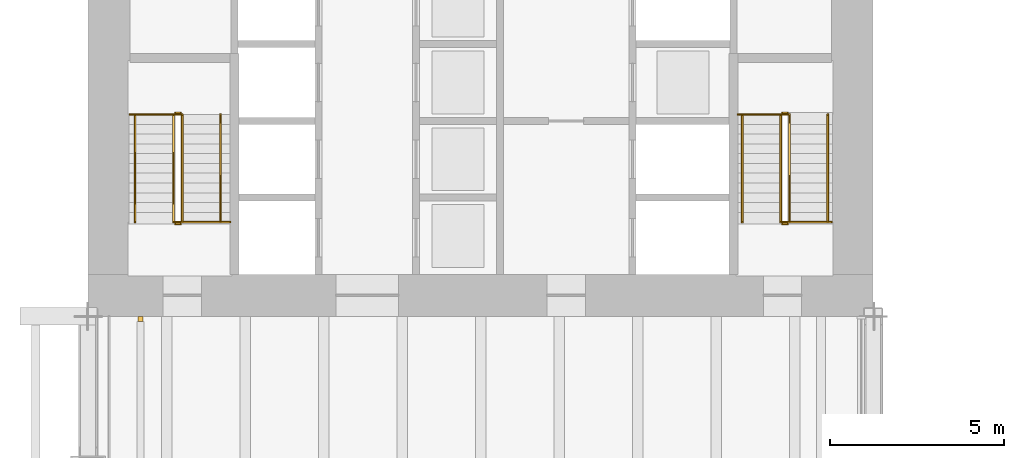
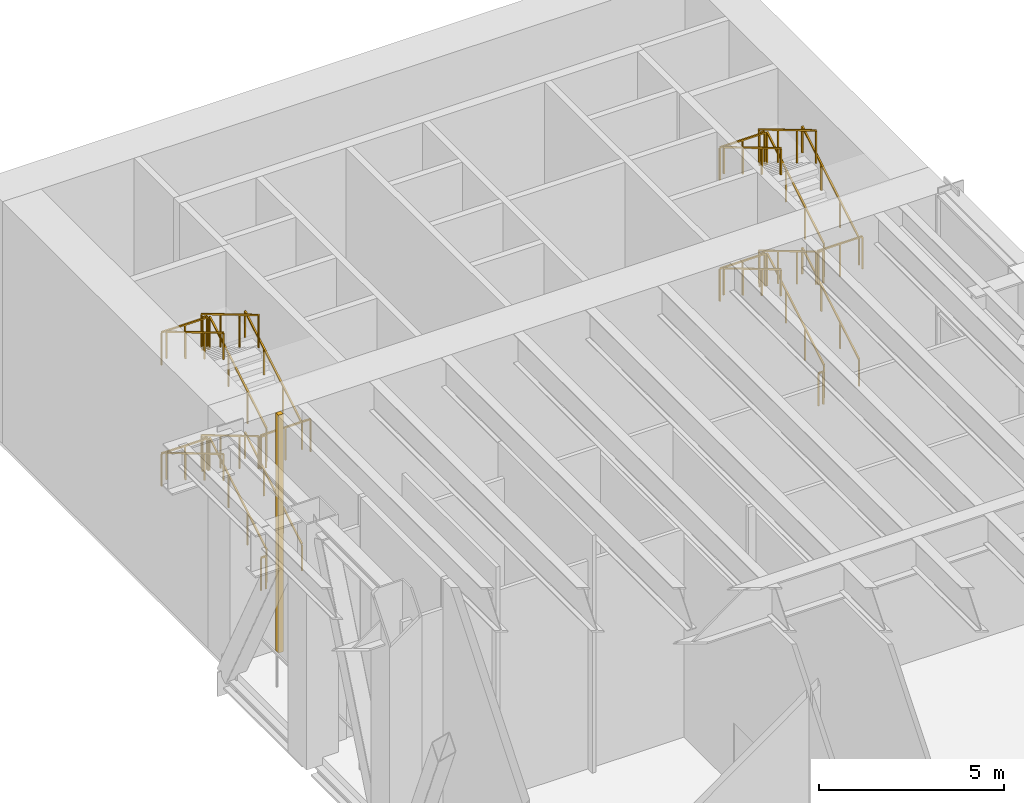
# One storey, part 20 of 21: 30 railings, 1 shading device.
"""IFC4 building model written with IfcOpenShell, lengths in metres."""

from ifc_helpers import new_model, si_unit, direction, frame, origin, origin_2d, place, context, subcontext, project, spatial, rectangle, extrude, material, type_object, element, save


model = new_model("IFC4")

# Units and contexts
model_context = context("Model", 3, precision=1e-05, world=origin(), true_north=direction((0.0, 1.0)))
body_context = subcontext(model_context, "Body", "Model", "MODEL_VIEW")
ifc_project = project(units=[si_unit("LENGTHUNIT", "METRE"), si_unit("AREAUNIT", "SQUARE_METRE"), si_unit("VOLUMEUNIT", "CUBIC_METRE"), si_unit("PLANEANGLEUNIT", "RADIAN"), si_unit("MASSUNIT", "GRAM", prefix="KILO")], contexts=[model_context])

# Site, building, storey
site_placement = place(None, origin())
site = spatial("IfcSite", under=ifc_project, at=site_placement, CompositionType="ELEMENT")
building_placement = place(site_placement, origin())
building = spatial("IfcBuilding", under=site, at=building_placement, Name="Sennacour Bend Tower", CompositionType="ELEMENT")
storey_placement = place(building_placement, frame((0.0, 0.0, 131.0)))
storey = spatial("IfcBuildingStorey", under=building, at=storey_placement, Name="L30", CompositionType="ELEMENT", Elevation=131.0)

# Shading device
ifc_material_1 = material(Name="Dark bronze anodised aluminium louvre", Category="aluminium")
shading_device_type = type_object("IfcShadingDeviceType", Name="LOUVRE WALL POST 150", PredefinedType="USERDEFINED", material=ifc_material_1)
shading_device_placement = place(storey_placement, frame((1.5, 35.924072265625, 0.0), z_axis=(0.0, 0.0, 1.0), x_axis=(1.0, 0.0, 0.0)))
element("IfcShadingDevice", 1, at=shading_device_placement, inside=storey, type_object=shading_device_type, Name="Louvre wall post L30", ObjectType="LOUVRE", PredefinedType="USERDEFINED", context=body_context, shape_type="SweptSolid", body=[
    extrude(rectangle(XDim=0.14990234375, YDim=0.14990234375, at=origin_2d()), origin(), (0.0, 0.0, 1.0), 7.85009765625),
])

# Railings
ifc_material_2 = material(Name="Stainless steel", Category="steel")
railing_type_1 = type_object("IfcRailingType", Name="RL-GUARD-1100", PredefinedType="GUARDRAIL", material=ifc_material_2)
railing_1_placement = place(storey_placement, frame((2.699951171875, 38.699951171875, 0.166748046875)))
element("IfcRailing", 2, at=railing_1_placement, inside=storey, type_object=railing_type_1, Name="L30 SB1 stair guard 1", PredefinedType="GUARDRAIL", context=body_context, shape_type="SweptSolid", body=[
    extrude(rectangle(XDim=0.048095703125, YDim=0.048095703125, at=origin_2d()), frame((0.0, 0.0, 1.076171875), z_axis=(0.0, 0.859308565015, 0.511457515432), x_axis=(-1.0, 0.0, 0.0)), (0.0, 0.0, 1.0), 3.58447265625),
    extrude(rectangle(XDim=0.0419921875, YDim=0.0419921875, at=origin_2d()), origin(), (0.0, 0.0, 1.0), 1.052001953125),
    extrude(rectangle(XDim=0.0419921875, YDim=0.0419921875, at=origin_2d()), frame((0.0, 1.026611328125, 0.611083984375)), (0.0, 0.0, 1.0), 1.052001953125),
    extrude(rectangle(XDim=0.0419921875, YDim=0.0419921875, at=origin_2d()), frame((0.0, 2.053466796875, 1.22216796875)), (0.0, 0.0, 1.0), 1.052001953125),
    extrude(rectangle(XDim=0.0419921875, YDim=0.0419921875, at=origin_2d()), frame((0.0, 3.080078125, 1.833251953125)), (0.0, 0.0, 1.0), 1.052001953125),
])
railing_2_placement = place(storey_placement, frame((2.64990234375, 41.830078125, 2.0)))
element("IfcRailing", 3, at=railing_2_placement, inside=storey, type_object=railing_type_1, Name="L30 SB1 stair guard 2", PredefinedType="GUARDRAIL", context=body_context, shape_type="SweptSolid", body=[
    extrude(rectangle(XDim=0.048095703125, YDim=0.048095703125, at=origin_2d()), frame((0.0, 0.0, 1.076171875), z_axis=(-1.0, 0.0, 0.0), x_axis=(0.0, -1.0, 0.0)), (0.0, 0.0, 1.0), 0.14990234375),
    extrude(rectangle(XDim=0.0419921875, YDim=0.0419921875, at=origin_2d()), origin(), (0.0, 0.0, 1.0), 1.052001953125),
    extrude(rectangle(XDim=0.0419921875, YDim=0.0419921875, at=origin_2d()), frame((-0.14990234375, 0.0, 0.0)), (0.0, 0.0, 1.0), 1.052001953125),
])
railing_3_placement = place(storey_placement, frame((2.449951171875, 41.780029296875, 2.166748046875)))
element("IfcRailing", 4, at=railing_3_placement, inside=storey, type_object=railing_type_1, Name="L30 SB1 stair guard 4", PredefinedType="GUARDRAIL", context=body_context, shape_type="SweptSolid", body=[
    extrude(rectangle(XDim=0.048095703125, YDim=0.048095703125, at=origin_2d()), frame((0.0, 0.0, 1.076171875), z_axis=(0.0, -0.859308565015, 0.511457515432), x_axis=(1.0, 0.0, 0.0)), (0.0, 0.0, 1.0), 3.58447265625),
    extrude(rectangle(XDim=0.0419921875, YDim=0.0419921875, at=origin_2d()), origin(), (0.0, 0.0, 1.0), 1.052001953125),
    extrude(rectangle(XDim=0.0419921875, YDim=0.0419921875, at=origin_2d()), frame((0.0, -1.026611328125, 0.611083984375)), (0.0, 0.0, 1.0), 1.052001953125),
    extrude(rectangle(XDim=0.0419921875, YDim=0.0419921875, at=origin_2d()), frame((0.0, -2.053466796875, 1.22216796875)), (0.0, 0.0, 1.0), 1.052001953125),
    extrude(rectangle(XDim=0.0419921875, YDim=0.0419921875, at=origin_2d()), frame((0.0, -3.080078125, 1.833251953125)), (0.0, 0.0, 1.0), 1.052001953125),
])
railing_4_placement = place(storey_placement, frame((2.64990234375, 38.64990234375, 4.0)))
element("IfcRailing", 5, at=railing_4_placement, inside=storey, type_object=railing_type_1, Name="L30 SB1 stair guard 5", PredefinedType="GUARDRAIL", context=body_context, shape_type="SweptSolid", body=[
    extrude(rectangle(XDim=0.048095703125, YDim=0.048095703125, at=origin_2d()), frame((0.0, 0.0, 1.076171875), z_axis=(-1.0, 0.0, 0.0), x_axis=(0.0, -1.0, 0.0)), (0.0, 0.0, 1.0), 0.14990234375),
    extrude(rectangle(XDim=0.0419921875, YDim=0.0419921875, at=origin_2d()), origin(), (0.0, 0.0, 1.0), 1.052001953125),
    extrude(rectangle(XDim=0.0419921875, YDim=0.0419921875, at=origin_2d()), frame((-0.14990234375, 0.0, 0.0)), (0.0, 0.0, 1.0), 1.052001953125),
])
railing_5_placement = place(storey_placement, frame((2.699951171875, 38.699951171875, 4.166748046875)))
element("IfcRailing", 6, at=railing_5_placement, inside=storey, type_object=railing_type_1, Name="L30 SB1 stair guard 8", PredefinedType="GUARDRAIL", context=body_context, shape_type="SweptSolid", body=[
    extrude(rectangle(XDim=0.048095703125, YDim=0.048095703125, at=origin_2d()), frame((0.0, 0.0, 1.076171875), z_axis=(0.0, 0.859308565015, 0.511457515432), x_axis=(-1.0, 0.0, 0.0)), (0.0, 0.0, 1.0), 3.58447265625),
    extrude(rectangle(XDim=0.0419921875, YDim=0.0419921875, at=origin_2d()), origin(), (0.0, 0.0, 1.0), 1.052001953125),
    extrude(rectangle(XDim=0.0419921875, YDim=0.0419921875, at=origin_2d()), frame((0.0, 1.026611328125, 0.611083984375)), (0.0, 0.0, 1.0), 1.052001953125),
    extrude(rectangle(XDim=0.0419921875, YDim=0.0419921875, at=origin_2d()), frame((0.0, 2.053466796875, 1.22216796875)), (0.0, 0.0, 1.0), 1.052001953125),
    extrude(rectangle(XDim=0.0419921875, YDim=0.0419921875, at=origin_2d()), frame((0.0, 3.080078125, 1.833251953125)), (0.0, 0.0, 1.0), 1.052001953125),
])
railing_6_placement = place(storey_placement, frame((2.64990234375, 41.830078125, 6.0)))
element("IfcRailing", 7, at=railing_6_placement, inside=storey, type_object=railing_type_1, Name="L30 SB1 stair guard 9", PredefinedType="GUARDRAIL", context=body_context, shape_type="SweptSolid", body=[
    extrude(rectangle(XDim=0.048095703125, YDim=0.048095703125, at=origin_2d()), frame((0.0, 0.0, 1.076171875), z_axis=(-1.0, 0.0, 0.0), x_axis=(0.0, -1.0, 0.0)), (0.0, 0.0, 1.0), 0.14990234375),
    extrude(rectangle(XDim=0.0419921875, YDim=0.0419921875, at=origin_2d()), origin(), (0.0, 0.0, 1.0), 1.052001953125),
    extrude(rectangle(XDim=0.0419921875, YDim=0.0419921875, at=origin_2d()), frame((-0.14990234375, 0.0, 0.0)), (0.0, 0.0, 1.0), 1.052001953125),
])
railing_7_placement = place(storey_placement, frame((2.449951171875, 41.780029296875, 6.166748046875)))
element("IfcRailing", 8, at=railing_7_placement, inside=storey, type_object=railing_type_1, Name="L30 SB1 stair guard 11", PredefinedType="GUARDRAIL", context=body_context, shape_type="SweptSolid", body=[
    extrude(rectangle(XDim=0.048095703125, YDim=0.048095703125, at=origin_2d()), frame((0.0, 0.0, 1.076171875), z_axis=(0.0, -0.859308565015, 0.511457515432), x_axis=(1.0, 0.0, 0.0)), (0.0, 0.0, 1.0), 3.58447265625),
    extrude(rectangle(XDim=0.0419921875, YDim=0.0419921875, at=origin_2d()), origin(), (0.0, 0.0, 1.0), 1.052001953125),
    extrude(rectangle(XDim=0.0419921875, YDim=0.0419921875, at=origin_2d()), frame((0.0, -1.026611328125, 0.611083984375)), (0.0, 0.0, 1.0), 1.052001953125),
    extrude(rectangle(XDim=0.0419921875, YDim=0.0419921875, at=origin_2d()), frame((0.0, -2.053466796875, 1.22216796875)), (0.0, 0.0, 1.0), 1.052001953125),
    extrude(rectangle(XDim=0.0419921875, YDim=0.0419921875, at=origin_2d()), frame((0.0, -3.080078125, 1.833251953125)), (0.0, 0.0, 1.0), 1.052001953125),
])
railing_8_placement = place(storey_placement, frame((2.64990234375, 38.64990234375, 0.0)))
element("IfcRailing", 9, at=railing_8_placement, inside=storey, type_object=railing_type_1, Name="L30 SB1 stair guard 12", PredefinedType="GUARDRAIL", context=body_context, shape_type="SweptSolid", body=[
    extrude(rectangle(XDim=0.048095703125, YDim=0.048095703125, at=origin_2d()), frame((0.0, 0.0, 1.076171875), z_axis=(-1.0, 0.0, 0.0), x_axis=(0.0, -1.0, 0.0)), (0.0, 0.0, 1.0), 0.14990234375),
    extrude(rectangle(XDim=0.0419921875, YDim=0.0419921875, at=origin_2d()), origin(), (0.0, 0.0, 1.0), 1.052001953125),
    extrude(rectangle(XDim=0.0419921875, YDim=0.0419921875, at=origin_2d()), frame((-0.14990234375, 0.0, 0.0)), (0.0, 0.0, 1.0), 1.052001953125),
])
railing_9_placement = place(storey_placement, frame((2.64990234375, 41.780029296875, 2.0)))
element("IfcRailing", 10, at=railing_9_placement, inside=storey, type_object=railing_type_1, Name="L30 SB1 landing edge guard 53", PredefinedType="GUARDRAIL", context=body_context, shape_type="SweptSolid", body=[
    extrude(rectangle(XDim=0.048095703125, YDim=0.048095703125, at=origin_2d()), frame((0.0, 0.0, 1.076171875), z_axis=(-1.0, 0.0, 0.0), x_axis=(0.0, -1.0, 0.0)), (0.0, 0.0, 1.0), 1.449951171875),
    extrude(rectangle(XDim=0.0419921875, YDim=0.0419921875, at=origin_2d()), origin(), (0.0, 0.0, 1.0), 1.052001953125),
    extrude(rectangle(XDim=0.0419921875, YDim=0.0419921875, at=origin_2d()), frame((-0.72509765625, 0.0, 0.0)), (0.0, 0.0, 1.0), 1.052001953125),
    extrude(rectangle(XDim=0.0419921875, YDim=0.0419921875, at=origin_2d()), frame((-1.449951171875, 0.0, 0.0)), (0.0, 0.0, 1.0), 1.052001953125),
])
railing_10_placement = place(storey_placement, frame((2.5, 38.699951171875, 4.0)))
element("IfcRailing", 11, at=railing_10_placement, inside=storey, type_object=railing_type_1, Name="L30 SB1 landing edge guard 54", PredefinedType="GUARDRAIL", context=body_context, shape_type="SweptSolid", body=[
    extrude(rectangle(XDim=0.048095703125, YDim=0.048095703125, at=origin_2d()), frame((0.0, 0.0, 1.076171875), z_axis=(1.0, 0.0, 0.0), x_axis=(0.0, 1.0, 0.0)), (0.0, 0.0, 1.0), 1.574951171875),
    extrude(rectangle(XDim=0.0419921875, YDim=0.0419921875, at=origin_2d()), origin(), (0.0, 0.0, 1.0), 1.052001953125),
    extrude(rectangle(XDim=0.0419921875, YDim=0.0419921875, at=origin_2d()), frame((0.78759765625, 0.0, 0.0)), (0.0, 0.0, 1.0), 1.052001953125),
    extrude(rectangle(XDim=0.0419921875, YDim=0.0419921875, at=origin_2d()), frame((1.574951171875, 0.0, 0.0)), (0.0, 0.0, 1.0), 1.052001953125),
])
railing_11_placement = place(storey_placement, frame((2.64990234375, 41.780029296875, 6.0)))
element("IfcRailing", 12, at=railing_11_placement, inside=storey, type_object=railing_type_1, Name="L30 SB1 landing edge guard 55", PredefinedType="GUARDRAIL", context=body_context, shape_type="SweptSolid", body=[
    extrude(rectangle(XDim=0.048095703125, YDim=0.048095703125, at=origin_2d()), frame((0.0, 0.0, 1.076171875), z_axis=(-1.0, 0.0, 0.0), x_axis=(0.0, -1.0, 0.0)), (0.0, 0.0, 1.0), 1.449951171875),
    extrude(rectangle(XDim=0.0419921875, YDim=0.0419921875, at=origin_2d()), origin(), (0.0, 0.0, 1.0), 1.052001953125),
    extrude(rectangle(XDim=0.0419921875, YDim=0.0419921875, at=origin_2d()), frame((-0.72509765625, 0.0, 0.0)), (0.0, 0.0, 1.0), 1.052001953125),
    extrude(rectangle(XDim=0.0419921875, YDim=0.0419921875, at=origin_2d()), frame((-1.449951171875, 0.0, 0.0)), (0.0, 0.0, 1.0), 1.052001953125),
])
railing_12_placement = place(storey_placement, frame((20.10009765625, 38.699951171875, 0.166748046875)))
element("IfcRailing", 13, at=railing_12_placement, inside=storey, type_object=railing_type_1, Name="L30 SB2 stair guard 1", PredefinedType="GUARDRAIL", context=body_context, shape_type="SweptSolid", body=[
    extrude(rectangle(XDim=0.048095703125, YDim=0.048095703125, at=origin_2d()), frame((0.0, 0.0, 1.076171875), z_axis=(0.0, 0.859308565015, 0.511457515432), x_axis=(-1.0, 0.0, 0.0)), (0.0, 0.0, 1.0), 3.58447265625),
    extrude(rectangle(XDim=0.0419921875, YDim=0.0419921875, at=origin_2d()), origin(), (0.0, 0.0, 1.0), 1.052001953125),
    extrude(rectangle(XDim=0.0419921875, YDim=0.0419921875, at=origin_2d()), frame((0.0, 1.026611328125, 0.611083984375)), (0.0, 0.0, 1.0), 1.052001953125),
    extrude(rectangle(XDim=0.0419921875, YDim=0.0419921875, at=origin_2d()), frame((0.0, 2.053466796875, 1.22216796875)), (0.0, 0.0, 1.0), 1.052001953125),
    extrude(rectangle(XDim=0.0419921875, YDim=0.0419921875, at=origin_2d()), frame((0.0, 3.080078125, 1.833251953125)), (0.0, 0.0, 1.0), 1.052001953125),
])
railing_13_placement = place(storey_placement, frame((20.050048828125, 41.830078125, 2.0)))
element("IfcRailing", 14, at=railing_13_placement, inside=storey, type_object=railing_type_1, Name="L30 SB2 stair guard 2", PredefinedType="GUARDRAIL", context=body_context, shape_type="SweptSolid", body=[
    extrude(rectangle(XDim=0.048095703125, YDim=0.048095703125, at=origin_2d()), frame((0.0, 0.0, 1.076171875), z_axis=(-1.0, 0.0, 0.0), x_axis=(0.0, -1.0, 0.0)), (0.0, 0.0, 1.0), 0.150146484375),
    extrude(rectangle(XDim=0.0419921875, YDim=0.0419921875, at=origin_2d()), origin(), (0.0, 0.0, 1.0), 1.052001953125),
    extrude(rectangle(XDim=0.0419921875, YDim=0.0419921875, at=origin_2d()), frame((-0.150146484375, 0.0, 0.0)), (0.0, 0.0, 1.0), 1.052001953125),
])
railing_14_placement = place(storey_placement, frame((19.85009765625, 41.780029296875, 2.166748046875)))
element("IfcRailing", 15, at=railing_14_placement, inside=storey, type_object=railing_type_1, Name="L30 SB2 stair guard 4", PredefinedType="GUARDRAIL", context=body_context, shape_type="SweptSolid", body=[
    extrude(rectangle(XDim=0.048095703125, YDim=0.048095703125, at=origin_2d()), frame((0.0, 0.0, 1.076171875), z_axis=(0.0, -0.859308565015, 0.511457515432), x_axis=(1.0, 0.0, 0.0)), (0.0, 0.0, 1.0), 3.58447265625),
    extrude(rectangle(XDim=0.0419921875, YDim=0.0419921875, at=origin_2d()), origin(), (0.0, 0.0, 1.0), 1.052001953125),
    extrude(rectangle(XDim=0.0419921875, YDim=0.0419921875, at=origin_2d()), frame((0.0, -1.026611328125, 0.611083984375)), (0.0, 0.0, 1.0), 1.052001953125),
    extrude(rectangle(XDim=0.0419921875, YDim=0.0419921875, at=origin_2d()), frame((0.0, -2.053466796875, 1.22216796875)), (0.0, 0.0, 1.0), 1.052001953125),
    extrude(rectangle(XDim=0.0419921875, YDim=0.0419921875, at=origin_2d()), frame((0.0, -3.080078125, 1.833251953125)), (0.0, 0.0, 1.0), 1.052001953125),
])
railing_15_placement = place(storey_placement, frame((20.050048828125, 38.64990234375, 4.0)))
element("IfcRailing", 16, at=railing_15_placement, inside=storey, type_object=railing_type_1, Name="L30 SB2 stair guard 5", PredefinedType="GUARDRAIL", context=body_context, shape_type="SweptSolid", body=[
    extrude(rectangle(XDim=0.048095703125, YDim=0.048095703125, at=origin_2d()), frame((0.0, 0.0, 1.076171875), z_axis=(-1.0, 0.0, 0.0), x_axis=(0.0, -1.0, 0.0)), (0.0, 0.0, 1.0), 0.150146484375),
    extrude(rectangle(XDim=0.0419921875, YDim=0.0419921875, at=origin_2d()), origin(), (0.0, 0.0, 1.0), 1.052001953125),
    extrude(rectangle(XDim=0.0419921875, YDim=0.0419921875, at=origin_2d()), frame((-0.150146484375, 0.0, 0.0)), (0.0, 0.0, 1.0), 1.052001953125),
])
railing_16_placement = place(storey_placement, frame((20.10009765625, 38.699951171875, 4.166748046875)))
element("IfcRailing", 17, at=railing_16_placement, inside=storey, type_object=railing_type_1, Name="L30 SB2 stair guard 8", PredefinedType="GUARDRAIL", context=body_context, shape_type="SweptSolid", body=[
    extrude(rectangle(XDim=0.048095703125, YDim=0.048095703125, at=origin_2d()), frame((0.0, 0.0, 1.076171875), z_axis=(0.0, 0.859308565015, 0.511457515432), x_axis=(-1.0, 0.0, 0.0)), (0.0, 0.0, 1.0), 3.58447265625),
    extrude(rectangle(XDim=0.0419921875, YDim=0.0419921875, at=origin_2d()), origin(), (0.0, 0.0, 1.0), 1.052001953125),
    extrude(rectangle(XDim=0.0419921875, YDim=0.0419921875, at=origin_2d()), frame((0.0, 1.026611328125, 0.611083984375)), (0.0, 0.0, 1.0), 1.052001953125),
    extrude(rectangle(XDim=0.0419921875, YDim=0.0419921875, at=origin_2d()), frame((0.0, 2.053466796875, 1.22216796875)), (0.0, 0.0, 1.0), 1.052001953125),
    extrude(rectangle(XDim=0.0419921875, YDim=0.0419921875, at=origin_2d()), frame((0.0, 3.080078125, 1.833251953125)), (0.0, 0.0, 1.0), 1.052001953125),
])
railing_17_placement = place(storey_placement, frame((20.050048828125, 41.830078125, 6.0)))
element("IfcRailing", 18, at=railing_17_placement, inside=storey, type_object=railing_type_1, Name="L30 SB2 stair guard 9", PredefinedType="GUARDRAIL", context=body_context, shape_type="SweptSolid", body=[
    extrude(rectangle(XDim=0.048095703125, YDim=0.048095703125, at=origin_2d()), frame((0.0, 0.0, 1.076171875), z_axis=(-1.0, 0.0, 0.0), x_axis=(0.0, -1.0, 0.0)), (0.0, 0.0, 1.0), 0.150146484375),
    extrude(rectangle(XDim=0.0419921875, YDim=0.0419921875, at=origin_2d()), origin(), (0.0, 0.0, 1.0), 1.052001953125),
    extrude(rectangle(XDim=0.0419921875, YDim=0.0419921875, at=origin_2d()), frame((-0.150146484375, 0.0, 0.0)), (0.0, 0.0, 1.0), 1.052001953125),
])
railing_18_placement = place(storey_placement, frame((19.85009765625, 41.780029296875, 6.166748046875)))
element("IfcRailing", 19, at=railing_18_placement, inside=storey, type_object=railing_type_1, Name="L30 SB2 stair guard 11", PredefinedType="GUARDRAIL", context=body_context, shape_type="SweptSolid", body=[
    extrude(rectangle(XDim=0.048095703125, YDim=0.048095703125, at=origin_2d()), frame((0.0, 0.0, 1.076171875), z_axis=(0.0, -0.859308565015, 0.511457515432), x_axis=(1.0, 0.0, 0.0)), (0.0, 0.0, 1.0), 3.58447265625),
    extrude(rectangle(XDim=0.0419921875, YDim=0.0419921875, at=origin_2d()), origin(), (0.0, 0.0, 1.0), 1.052001953125),
    extrude(rectangle(XDim=0.0419921875, YDim=0.0419921875, at=origin_2d()), frame((0.0, -1.026611328125, 0.611083984375)), (0.0, 0.0, 1.0), 1.052001953125),
    extrude(rectangle(XDim=0.0419921875, YDim=0.0419921875, at=origin_2d()), frame((0.0, -2.053466796875, 1.22216796875)), (0.0, 0.0, 1.0), 1.052001953125),
    extrude(rectangle(XDim=0.0419921875, YDim=0.0419921875, at=origin_2d()), frame((0.0, -3.080078125, 1.833251953125)), (0.0, 0.0, 1.0), 1.052001953125),
])
railing_19_placement = place(storey_placement, frame((20.050048828125, 38.64990234375, 0.0)))
element("IfcRailing", 20, at=railing_19_placement, inside=storey, type_object=railing_type_1, Name="L30 SB2 stair guard 12", PredefinedType="GUARDRAIL", context=body_context, shape_type="SweptSolid", body=[
    extrude(rectangle(XDim=0.048095703125, YDim=0.048095703125, at=origin_2d()), frame((0.0, 0.0, 1.076171875), z_axis=(-1.0, 0.0, 0.0), x_axis=(0.0, -1.0, 0.0)), (0.0, 0.0, 1.0), 0.150146484375),
    extrude(rectangle(XDim=0.0419921875, YDim=0.0419921875, at=origin_2d()), origin(), (0.0, 0.0, 1.0), 1.052001953125),
    extrude(rectangle(XDim=0.0419921875, YDim=0.0419921875, at=origin_2d()), frame((-0.150146484375, 0.0, 0.0)), (0.0, 0.0, 1.0), 1.052001953125),
])
railing_20_placement = place(storey_placement, frame((20.050048828125, 41.780029296875, 2.0)))
element("IfcRailing", 21, at=railing_20_placement, inside=storey, type_object=railing_type_1, Name="L30 SB2 landing edge guard 43", PredefinedType="GUARDRAIL", context=body_context, shape_type="SweptSolid", body=[
    extrude(rectangle(XDim=0.048095703125, YDim=0.048095703125, at=origin_2d()), frame((0.0, 0.0, 1.076171875), z_axis=(-1.0, 0.0, 0.0), x_axis=(0.0, -1.0, 0.0)), (0.0, 0.0, 1.0), 1.425048828125),
    extrude(rectangle(XDim=0.0419921875, YDim=0.0419921875, at=origin_2d()), origin(), (0.0, 0.0, 1.0), 1.052001953125),
    extrude(rectangle(XDim=0.0419921875, YDim=0.0419921875, at=origin_2d()), frame((-0.71240234375, 0.0, 0.0)), (0.0, 0.0, 1.0), 1.052001953125),
    extrude(rectangle(XDim=0.0419921875, YDim=0.0419921875, at=origin_2d()), frame((-1.425048828125, 0.0, 0.0)), (0.0, 0.0, 1.0), 1.052001953125),
])
railing_21_placement = place(storey_placement, frame((19.89990234375, 38.699951171875, 4.0)))
element("IfcRailing", 22, at=railing_21_placement, inside=storey, type_object=railing_type_1, Name="L30 SB2 landing edge guard 44", PredefinedType="GUARDRAIL", context=body_context, shape_type="SweptSolid", body=[
    extrude(rectangle(XDim=0.048095703125, YDim=0.048095703125, at=origin_2d()), frame((0.0, 0.0, 1.076171875), z_axis=(1.0, 0.0, 0.0), x_axis=(0.0, 1.0, 0.0)), (0.0, 0.0, 1.0), 1.400146484375),
    extrude(rectangle(XDim=0.0419921875, YDim=0.0419921875, at=origin_2d()), origin(), (0.0, 0.0, 1.0), 1.052001953125),
    extrude(rectangle(XDim=0.0419921875, YDim=0.0419921875, at=origin_2d()), frame((0.7001953125, 0.0, 0.0)), (0.0, 0.0, 1.0), 1.052001953125),
    extrude(rectangle(XDim=0.0419921875, YDim=0.0419921875, at=origin_2d()), frame((1.400146484375, 0.0, 0.0)), (0.0, 0.0, 1.0), 1.052001953125),
])
railing_22_placement = place(storey_placement, frame((20.050048828125, 41.780029296875, 6.0)))
element("IfcRailing", 23, at=railing_22_placement, inside=storey, type_object=railing_type_1, Name="L30 SB2 landing edge guard 45", PredefinedType="GUARDRAIL", context=body_context, shape_type="SweptSolid", body=[
    extrude(rectangle(XDim=0.048095703125, YDim=0.048095703125, at=origin_2d()), frame((0.0, 0.0, 1.076171875), z_axis=(-1.0, 0.0, 0.0), x_axis=(0.0, -1.0, 0.0)), (0.0, 0.0, 1.0), 1.425048828125),
    extrude(rectangle(XDim=0.0419921875, YDim=0.0419921875, at=origin_2d()), origin(), (0.0, 0.0, 1.0), 1.052001953125),
    extrude(rectangle(XDim=0.0419921875, YDim=0.0419921875, at=origin_2d()), frame((-0.71240234375, 0.0, 0.0)), (0.0, 0.0, 1.0), 1.052001953125),
    extrude(rectangle(XDim=0.0419921875, YDim=0.0419921875, at=origin_2d()), frame((-1.425048828125, 0.0, 0.0)), (0.0, 0.0, 1.0), 1.052001953125),
])
railing_type_2 = type_object("IfcRailingType", Name="RL-HANDRAIL-900", PredefinedType="HANDRAIL", material=ifc_material_2)
railing_23_placement = place(storey_placement, frame((3.800048828125, 38.699951171875, 0.166748046875)))
element("IfcRailing", 24, at=railing_23_placement, inside=storey, type_object=railing_type_2, Name="L30 SB1 stair handrail 1", PredefinedType="HANDRAIL", context=body_context, shape_type="SweptSolid", body=[
    extrude(rectangle(XDim=0.048095703125, YDim=0.048095703125, at=origin_2d()), frame((0.0, 0.0, 0.8759765625), z_axis=(0.0, 0.859308565015, 0.511457515432), x_axis=(-1.0, 0.0, 0.0)), (0.0, 0.0, 1.0), 3.58447265625),
    extrude(rectangle(XDim=0.0419921875, YDim=0.0419921875, at=origin_2d()), origin(), (0.0, 0.0, 1.0), 0.851806640625),
    extrude(rectangle(XDim=0.0419921875, YDim=0.0419921875, at=origin_2d()), frame((0.0, 1.026611328125, 0.611083984375)), (0.0, 0.0, 1.0), 0.851806640625),
    extrude(rectangle(XDim=0.0419921875, YDim=0.0419921875, at=origin_2d()), frame((0.0, 2.053466796875, 1.22216796875)), (0.0, 0.0, 1.0), 0.851806640625),
    extrude(rectangle(XDim=0.0419921875, YDim=0.0419921875, at=origin_2d()), frame((0.0, 3.080078125, 1.833251953125)), (0.0, 0.0, 1.0), 0.851806640625),
])
railing_24_placement = place(storey_placement, frame((1.35009765625, 41.780029296875, 2.166748046875)))
element("IfcRailing", 25, at=railing_24_placement, inside=storey, type_object=railing_type_2, Name="L30 SB1 stair handrail 2", PredefinedType="HANDRAIL", context=body_context, shape_type="SweptSolid", body=[
    extrude(rectangle(XDim=0.048095703125, YDim=0.048095703125, at=origin_2d()), frame((0.0, 0.0, 0.8759765625), z_axis=(0.0, -0.859308565015, 0.511457515432), x_axis=(1.0, 0.0, 0.0)), (0.0, 0.0, 1.0), 3.58447265625),
    extrude(rectangle(XDim=0.0419921875, YDim=0.0419921875, at=origin_2d()), origin(), (0.0, 0.0, 1.0), 0.851806640625),
    extrude(rectangle(XDim=0.0419921875, YDim=0.0419921875, at=origin_2d()), frame((0.0, -1.026611328125, 0.611083984375)), (0.0, 0.0, 1.0), 0.851806640625),
    extrude(rectangle(XDim=0.0419921875, YDim=0.0419921875, at=origin_2d()), frame((0.0, -2.053466796875, 1.22216796875)), (0.0, 0.0, 1.0), 0.851806640625),
    extrude(rectangle(XDim=0.0419921875, YDim=0.0419921875, at=origin_2d()), frame((0.0, -3.080078125, 1.833251953125)), (0.0, 0.0, 1.0), 0.851806640625),
])
railing_25_placement = place(storey_placement, frame((3.800048828125, 38.699951171875, 4.166748046875)))
element("IfcRailing", 26, at=railing_25_placement, inside=storey, type_object=railing_type_2, Name="L30 SB1 stair handrail 3", PredefinedType="HANDRAIL", context=body_context, shape_type="SweptSolid", body=[
    extrude(rectangle(XDim=0.048095703125, YDim=0.048095703125, at=origin_2d()), frame((0.0, 0.0, 0.8759765625), z_axis=(0.0, 0.859308565015, 0.511457515432), x_axis=(-1.0, 0.0, 0.0)), (0.0, 0.0, 1.0), 3.58447265625),
    extrude(rectangle(XDim=0.0419921875, YDim=0.0419921875, at=origin_2d()), origin(), (0.0, 0.0, 1.0), 0.851806640625),
    extrude(rectangle(XDim=0.0419921875, YDim=0.0419921875, at=origin_2d()), frame((0.0, 1.026611328125, 0.611083984375)), (0.0, 0.0, 1.0), 0.851806640625),
    extrude(rectangle(XDim=0.0419921875, YDim=0.0419921875, at=origin_2d()), frame((0.0, 2.053466796875, 1.22216796875)), (0.0, 0.0, 1.0), 0.851806640625),
    extrude(rectangle(XDim=0.0419921875, YDim=0.0419921875, at=origin_2d()), frame((0.0, 3.080078125, 1.833251953125)), (0.0, 0.0, 1.0), 0.851806640625),
])
railing_26_placement = place(storey_placement, frame((1.35009765625, 41.780029296875, 6.166748046875)))
element("IfcRailing", 27, at=railing_26_placement, inside=storey, type_object=railing_type_2, Name="L30 SB1 stair handrail 4", PredefinedType="HANDRAIL", context=body_context, shape_type="SweptSolid", body=[
    extrude(rectangle(XDim=0.048095703125, YDim=0.048095703125, at=origin_2d()), frame((0.0, 0.0, 0.8759765625), z_axis=(0.0, -0.859308565015, 0.511457515432), x_axis=(1.0, 0.0, 0.0)), (0.0, 0.0, 1.0), 3.58447265625),
    extrude(rectangle(XDim=0.0419921875, YDim=0.0419921875, at=origin_2d()), origin(), (0.0, 0.0, 1.0), 0.851806640625),
    extrude(rectangle(XDim=0.0419921875, YDim=0.0419921875, at=origin_2d()), frame((0.0, -1.026611328125, 0.611083984375)), (0.0, 0.0, 1.0), 0.851806640625),
    extrude(rectangle(XDim=0.0419921875, YDim=0.0419921875, at=origin_2d()), frame((0.0, -2.053466796875, 1.22216796875)), (0.0, 0.0, 1.0), 0.851806640625),
    extrude(rectangle(XDim=0.0419921875, YDim=0.0419921875, at=origin_2d()), frame((0.0, -3.080078125, 1.833251953125)), (0.0, 0.0, 1.0), 0.851806640625),
])
railing_27_placement = place(storey_placement, frame((21.199951171875, 38.699951171875, 0.166748046875)))
element("IfcRailing", 28, at=railing_27_placement, inside=storey, type_object=railing_type_2, Name="L30 SB2 stair handrail 1", PredefinedType="HANDRAIL", context=body_context, shape_type="SweptSolid", body=[
    extrude(rectangle(XDim=0.048095703125, YDim=0.048095703125, at=origin_2d()), frame((0.0, 0.0, 0.8759765625), z_axis=(0.0, 0.859308565015, 0.511457515432), x_axis=(-1.0, 0.0, 0.0)), (0.0, 0.0, 1.0), 3.58447265625),
    extrude(rectangle(XDim=0.0419921875, YDim=0.0419921875, at=origin_2d()), origin(), (0.0, 0.0, 1.0), 0.851806640625),
    extrude(rectangle(XDim=0.0419921875, YDim=0.0419921875, at=origin_2d()), frame((0.0, 1.026611328125, 0.611083984375)), (0.0, 0.0, 1.0), 0.851806640625),
    extrude(rectangle(XDim=0.0419921875, YDim=0.0419921875, at=origin_2d()), frame((0.0, 2.053466796875, 1.22216796875)), (0.0, 0.0, 1.0), 0.851806640625),
    extrude(rectangle(XDim=0.0419921875, YDim=0.0419921875, at=origin_2d()), frame((0.0, 3.080078125, 1.833251953125)), (0.0, 0.0, 1.0), 0.851806640625),
])
railing_28_placement = place(storey_placement, frame((18.75, 41.780029296875, 2.166748046875)))
element("IfcRailing", 29, at=railing_28_placement, inside=storey, type_object=railing_type_2, Name="L30 SB2 stair handrail 2", PredefinedType="HANDRAIL", context=body_context, shape_type="SweptSolid", body=[
    extrude(rectangle(XDim=0.048095703125, YDim=0.048095703125, at=origin_2d()), frame((0.0, 0.0, 0.8759765625), z_axis=(0.0, -0.859308565015, 0.511457515432), x_axis=(1.0, 0.0, 0.0)), (0.0, 0.0, 1.0), 3.58447265625),
    extrude(rectangle(XDim=0.0419921875, YDim=0.0419921875, at=origin_2d()), origin(), (0.0, 0.0, 1.0), 0.851806640625),
    extrude(rectangle(XDim=0.0419921875, YDim=0.0419921875, at=origin_2d()), frame((0.0, -1.026611328125, 0.611083984375)), (0.0, 0.0, 1.0), 0.851806640625),
    extrude(rectangle(XDim=0.0419921875, YDim=0.0419921875, at=origin_2d()), frame((0.0, -2.053466796875, 1.22216796875)), (0.0, 0.0, 1.0), 0.851806640625),
    extrude(rectangle(XDim=0.0419921875, YDim=0.0419921875, at=origin_2d()), frame((0.0, -3.080078125, 1.833251953125)), (0.0, 0.0, 1.0), 0.851806640625),
])
railing_29_placement = place(storey_placement, frame((21.199951171875, 38.699951171875, 4.166748046875)))
element("IfcRailing", 30, at=railing_29_placement, inside=storey, type_object=railing_type_2, Name="L30 SB2 stair handrail 3", PredefinedType="HANDRAIL", context=body_context, shape_type="SweptSolid", body=[
    extrude(rectangle(XDim=0.048095703125, YDim=0.048095703125, at=origin_2d()), frame((0.0, 0.0, 0.8759765625), z_axis=(0.0, 0.859308565015, 0.511457515432), x_axis=(-1.0, 0.0, 0.0)), (0.0, 0.0, 1.0), 3.58447265625),
    extrude(rectangle(XDim=0.0419921875, YDim=0.0419921875, at=origin_2d()), origin(), (0.0, 0.0, 1.0), 0.851806640625),
    extrude(rectangle(XDim=0.0419921875, YDim=0.0419921875, at=origin_2d()), frame((0.0, 1.026611328125, 0.611083984375)), (0.0, 0.0, 1.0), 0.851806640625),
    extrude(rectangle(XDim=0.0419921875, YDim=0.0419921875, at=origin_2d()), frame((0.0, 2.053466796875, 1.22216796875)), (0.0, 0.0, 1.0), 0.851806640625),
    extrude(rectangle(XDim=0.0419921875, YDim=0.0419921875, at=origin_2d()), frame((0.0, 3.080078125, 1.833251953125)), (0.0, 0.0, 1.0), 0.851806640625),
])
railing_30_placement = place(storey_placement, frame((18.75, 41.780029296875, 6.166748046875)))
element("IfcRailing", 31, at=railing_30_placement, inside=storey, type_object=railing_type_2, Name="L30 SB2 stair handrail 4", PredefinedType="HANDRAIL", context=body_context, shape_type="SweptSolid", body=[
    extrude(rectangle(XDim=0.048095703125, YDim=0.048095703125, at=origin_2d()), frame((0.0, 0.0, 0.8759765625), z_axis=(0.0, -0.859308565015, 0.511457515432), x_axis=(1.0, 0.0, 0.0)), (0.0, 0.0, 1.0), 3.58447265625),
    extrude(rectangle(XDim=0.0419921875, YDim=0.0419921875, at=origin_2d()), origin(), (0.0, 0.0, 1.0), 0.851806640625),
    extrude(rectangle(XDim=0.0419921875, YDim=0.0419921875, at=origin_2d()), frame((0.0, -1.026611328125, 0.611083984375)), (0.0, 0.0, 1.0), 0.851806640625),
    extrude(rectangle(XDim=0.0419921875, YDim=0.0419921875, at=origin_2d()), frame((0.0, -2.053466796875, 1.22216796875)), (0.0, 0.0, 1.0), 0.851806640625),
    extrude(rectangle(XDim=0.0419921875, YDim=0.0419921875, at=origin_2d()), frame((0.0, -3.080078125, 1.833251953125)), (0.0, 0.0, 1.0), 0.851806640625),
])

save(model, "model.ifc")
